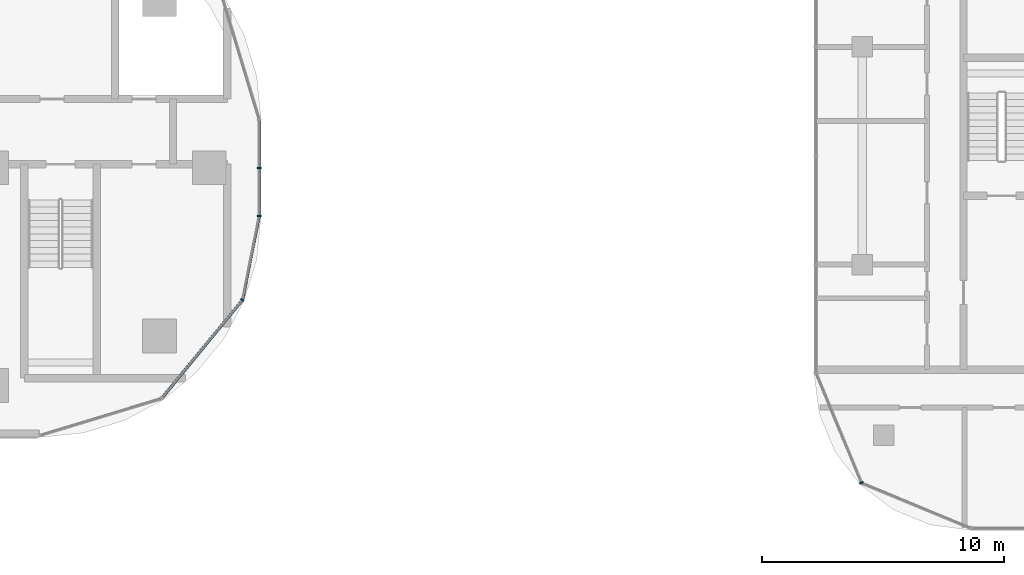
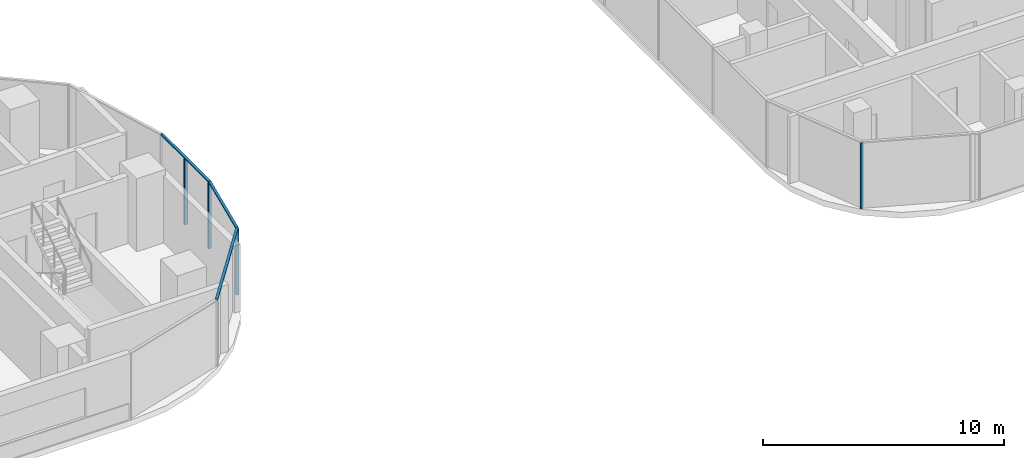
# One storey, part 8 of 32: 7 members, 3 elements without a shape of their own.
"""IFC4 building model written with IfcOpenShell, lengths in metres."""

from ifc_helpers import new_model, si_unit, direction, frame, origin, origin_2d, place, context, subcontext, project, spatial, rectangle, extrude, material, material_profile, profile_set, type_object, element, aggregate, save


model = new_model("IFC4")

# Units and contexts
model_context = context("Model", 3, precision=1e-05, world=origin(), true_north=direction((0.0, 1.0)))
body_context = subcontext(model_context, "Body", "Model", "MODEL_VIEW")
ifc_project = project(units=[si_unit("LENGTHUNIT", "METRE"), si_unit("AREAUNIT", "SQUARE_METRE"), si_unit("VOLUMEUNIT", "CUBIC_METRE"), si_unit("PLANEANGLEUNIT", "RADIAN"), si_unit("MASSUNIT", "GRAM", prefix="KILO")], contexts=[model_context])

# Site, building, storey
site_placement = place(None, origin())
site = spatial("IfcSite", under=ifc_project, at=site_placement, CompositionType="ELEMENT")
building_placement = place(site_placement, origin())
building = spatial("IfcBuilding", under=site, at=building_placement, Name="Ogive Portal Towers", CompositionType="ELEMENT")
storey_placement = place(building_placement, frame((0.0, 0.0, 59.39990234375)))
storey = spatial("IfcBuildingStorey", under=building, at=storey_placement, Name="L13", CompositionType="ELEMENT", Elevation=59.39990234375)

# Curtain wall, members
ifc_material_1 = material(Name="Glass, clear low-iron insulated glazing", Category="glass")
curtain_wall_type_1 = type_object("IfcCurtainWallType", Name="CW FRONT RIBBON 4500", PredefinedType="NOTDEFINED", material=ifc_material_1)
curtain_wall_1_placement = place(storey_placement, origin())
curtain_wall_1 = element("IfcCurtainWall", 1, at=curtain_wall_1_placement, inside=storey, type_object=curtain_wall_type_1, Name="A:L13:f12:cw0", PredefinedType="NOTDEFINED")
ifc_material_2 = material(Name="Aluminium 6063 anodised", Category="aluminium")
ifc_material_profile_1 = material_profile(ifc_material_2, rectangle(XDim=0.159912109375, YDim=0.06005859375, at=origin_2d()), Name="AL 60x160")
ifc_profile_set_1 = profile_set([ifc_material_profile_1], Name="Aluminium 6063 anodised")
member_type_1 = type_object("IfcMemberType", Name="CW MULLION 60x160", PredefinedType="MULLION", material=ifc_profile_set_1)
member_1_placement = place(storey_placement, frame((96.56494140625, 28.5078125, 0.0), z_axis=(0.0, 0.0, 1.0), x_axis=(-1.0, 0.0, 0.0)))
member_1 = element("IfcMember", 2, at=member_1_placement, type_object=member_type_1, Name="mullion", PredefinedType="MULLION", context=body_context, shape_type="SweptSolid", body=[
    extrude(rectangle(XDim=0.159912109375, YDim=0.06005859375, at=origin_2d()), origin(), (0.0, 0.0, 1.0), 3.340087890625),
])
member_2_placement = place(storey_placement, frame((96.56494140625, 30.5, 0.0), z_axis=(0.0, 0.0, 1.0), x_axis=(-1.0, 0.0, 0.0)))
member_2 = element("IfcMember", 3, at=member_2_placement, type_object=member_type_1, Name="mullion", PredefinedType="MULLION", context=body_context, shape_type="SweptSolid", body=[
    extrude(rectangle(XDim=0.159912109375, YDim=0.06005859375, at=origin_2d()), origin(), (0.0, 0.0, 1.0), 3.340087890625),
])

# Curtain wall, member
curtain_wall_2_placement = place(storey_placement, origin())
curtain_wall_2 = element("IfcCurtainWall", 4, at=curtain_wall_2_placement, inside=storey, type_object=curtain_wall_type_1, Name="A:L13:f09:cwa", PredefinedType="NOTDEFINED")
member_3_placement = place(storey_placement, frame((95.874267578125, 25.03564453125, 0.0), z_axis=(0.0, 0.0, 1.0), x_axis=(-0.773010453363, 0.634393284164, 0.0)))
member_3 = element("IfcMember", 5, at=member_3_placement, type_object=member_type_1, Name="mullion", PredefinedType="MULLION", context=body_context, shape_type="SweptSolid", body=[
    extrude(rectangle(XDim=0.159912109375, YDim=0.06005859375, at=origin_2d()), origin(), (0.0, 0.0, 1.0), 3.340087890625),
])

curtain_wall_type_2 = type_object("IfcCurtainWallType", Name="CW RESIDENCES RIBBON", PredefinedType="NOTDEFINED", material=ifc_material_1)
curtain_wall_3_placement = place(storey_placement, origin())
curtain_wall_3 = element("IfcCurtainWall", 6, at=curtain_wall_3_placement, inside=storey, type_object=curtain_wall_type_2, Name="B:L13:f00:cwa", PredefinedType="NOTDEFINED")
member_4_placement = place(storey_placement, frame((121.47216796875, 17.47216796875, 0.0), z_axis=(0.0, 0.0, 1.0), x_axis=(0.923879532511, 0.382683432365, 0.0)))
member_4 = element("IfcMember", 7, at=member_4_placement, type_object=member_type_1, Name="mullion", PredefinedType="MULLION", context=body_context, shape_type="SweptSolid", body=[
    extrude(rectangle(XDim=0.159912109375, YDim=0.06005859375, at=origin_2d()), origin(), (0.0, 0.0, 1.0), 3.340087890625),
])
aggregate(curtain_wall_3, [member_4])

# Member
ifc_material_profile_2 = material_profile(ifc_material_2, rectangle(XDim=0.1201171875, YDim=0.06005859375, at=origin_2d()), Name="AL 120x60")
ifc_profile_set_2 = profile_set([ifc_material_profile_2], Name="Aluminium 6063 anodised")
member_type_2 = type_object("IfcMemberType", Name="CW TRANSOM 60x120", PredefinedType="USERDEFINED", material=ifc_profile_set_2)
member_5_placement = place(storey_placement, frame((96.56494140625, 28.5078125, 3.3701171875), z_axis=(0.0, 1.0, 0.0), x_axis=(-1.0, 0.0, 0.0)))
member_5 = element("IfcMember", 8, at=member_5_placement, type_object=member_type_2, Name="transom", ObjectType="TRANSOM", PredefinedType="USERDEFINED", context=body_context, shape_type="SweptSolid", body=[
    extrude(rectangle(XDim=0.1201171875, YDim=0.06005859375, at=origin_2d()), origin(), (0.0, 0.0, 1.0), 3.980224609375),
])

aggregate(curtain_wall_1, [member_5, member_1, member_2])

member_6_placement = place(storey_placement, frame((92.5341796875, 20.9658203125, 3.3701171875), z_axis=(0.634401168845, 0.773003982505, 0.0), x_axis=(-0.773003982505, 0.634401168845, 0.0)))
member_6 = element("IfcMember", 9, at=member_6_placement, type_object=member_type_2, Name="transom", ObjectType="TRANSOM", PredefinedType="USERDEFINED", context=body_context, shape_type="SweptSolid", body=[
    extrude(rectangle(XDim=0.1201171875, YDim=0.06005859375, at=origin_2d()), origin(), (0.0, 0.0, 1.0), 5.264892578125),
])

member_7_placement = place(storey_placement, frame((95.874267578125, 25.03564453125, 3.3701171875), z_axis=(0.195094853621, 0.980784379, 0.0), x_axis=(-0.980784379, 0.195094853621, 0.0)))
member_7 = element("IfcMember", 10, at=member_7_placement, type_object=member_type_2, Name="transom", ObjectType="TRANSOM", PredefinedType="USERDEFINED", context=body_context, shape_type="SweptSolid", body=[
    extrude(rectangle(XDim=0.1201171875, YDim=0.06005859375, at=origin_2d()), origin(), (0.0, 0.0, 1.0), 3.540283203125),
])

aggregate(curtain_wall_2, [member_6, member_7, member_3])

save(model, "model.ifc")
